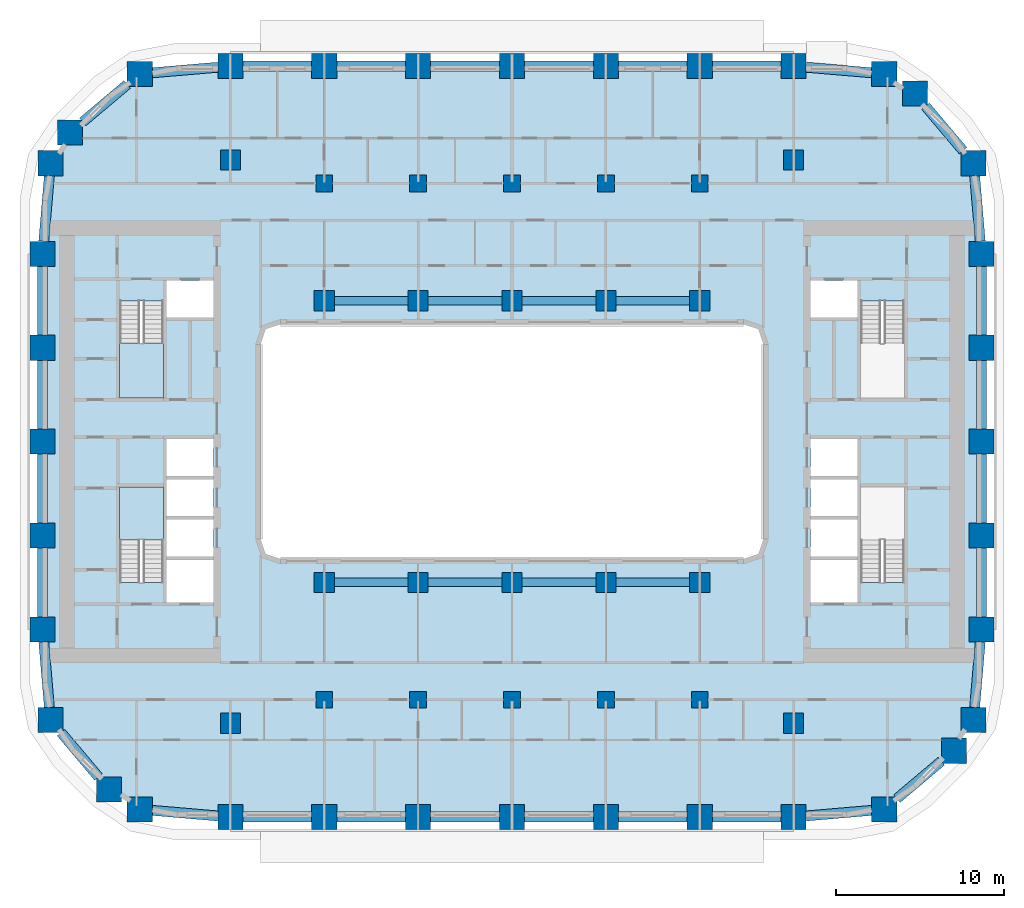
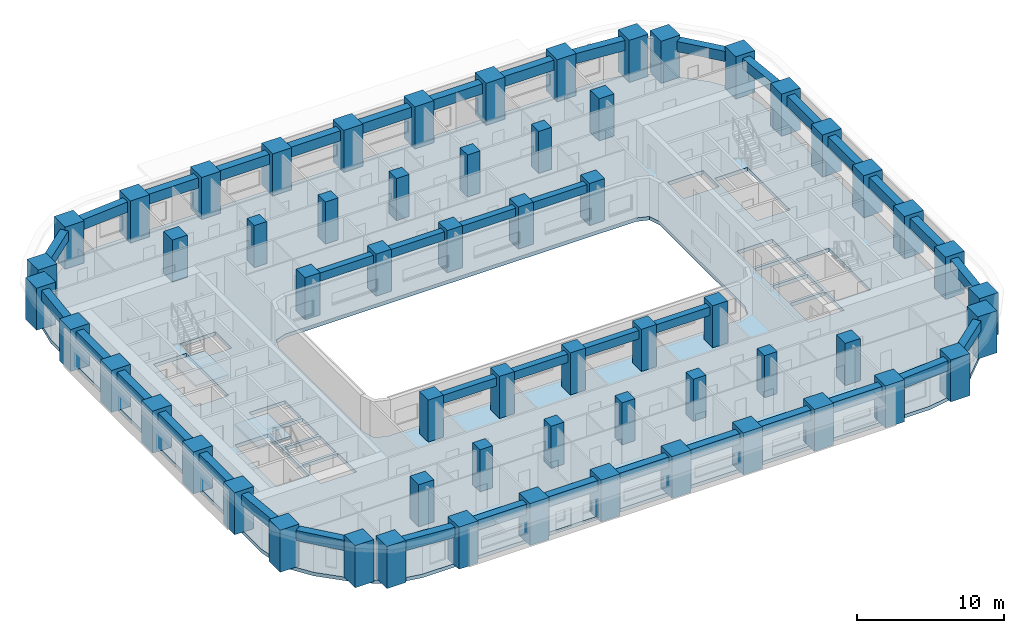
# One storey, part 1 of 21: 60 columns, 40 beams, 3 slabs, 2 elements without a shape of their own.
"""IFC4 building model written with IfcOpenShell, lengths in metres."""

from ifc_helpers import new_model, si_unit, direction, frame, origin, origin_2d, place, context, subcontext, project, spatial, polyline, rectangle, outline, extrude, material, layer, layer_set, material_profile, profile_set, type_object, element, aggregate, save


model = new_model("IFC4")

# Units and contexts
model_context = context("Model", 3, precision=1e-05, world=origin(), true_north=direction((0.0, 1.0)))
body_context = subcontext(model_context, "Body", "Model", "MODEL_VIEW")
ifc_project = project(units=[si_unit("LENGTHUNIT", "METRE"), si_unit("AREAUNIT", "SQUARE_METRE"), si_unit("VOLUMEUNIT", "CUBIC_METRE"), si_unit("PLANEANGLEUNIT", "RADIAN"), si_unit("MASSUNIT", "GRAM", prefix="KILO")], contexts=[model_context])

# Site, building, storey
site_placement = place(None, origin())
site = spatial("IfcSite", under=ifc_project, at=site_placement, CompositionType="ELEMENT")
building_placement = place(site_placement, origin())
building = spatial("IfcBuilding", under=site, at=building_placement, Name="Kiln Ring Residences", CompositionType="ELEMENT")
storey_placement = place(building_placement, frame((0.0, 0.0, 48.0)))
storey = spatial("IfcBuildingStorey", under=building, at=storey_placement, Name="L11", CompositionType="ELEMENT", Elevation=48.0)

# Columns
ifc_material_1 = material(Name="Concrete C80/95", Category="concrete")
ifc_material_profile_1 = material_profile(ifc_material_1, rectangle(XDim=1.0, YDim=1.0, at=origin_2d()), Name="RC1000x1000")
ifc_profile_set_1 = profile_set([ifc_material_profile_1], Name="Concrete C80/95")
column_type_1 = type_object("IfcColumnType", Name="Corridor column RC1000x1000 C80/95", PredefinedType="COLUMN", material=ifc_profile_set_1)
for number, where, z_axis, x_axis, name in (
    (1, (-11.199951171875, 15.39990234375, 0.0), (0.0, 0.0, 1.0), (1.0, 0.0, 0.0), "Corridor column L11 1"),
    (2, (-5.60009765625, 15.39990234375, 0.0), (0.0, 0.0, 1.0), (1.0, 0.0, 0.0), "Corridor column L11 2"),
    (3, (0.0, 15.39990234375, 0.0), (0.0, 0.0, 1.0), (1.0, 0.0, 0.0), "Corridor column L11 3"),
    (4, (5.60009765625, 15.39990234375, 0.0), (0.0, 0.0, 1.0), (1.0, 0.0, 0.0), "Corridor column L11 4"),
    (5, (11.199951171875, 15.39990234375, 0.0), (0.0, 0.0, 1.0), (1.0, 0.0, 0.0), "Corridor column L11 5"),
    (6, (-11.199951171875, -15.39990234375, 0.0), (0.0, 0.0, 1.0), (1.0, 0.0, 0.0), "Corridor column L11 6"),
    (7, (-5.60009765625, -15.39990234375, 0.0), (0.0, 0.0, 1.0), (1.0, 0.0, 0.0), "Corridor column L11 7"),
    (8, (0.0, -15.39990234375, 0.0), (0.0, 0.0, 1.0), (1.0, 0.0, 0.0), "Corridor column L11 8"),
    (9, (5.60009765625, -15.39990234375, 0.0), (0.0, 0.0, 1.0), (1.0, 0.0, 0.0), "Corridor column L11 9"),
    (10, (11.199951171875, -15.39990234375, 0.0), (0.0, 0.0, 1.0), (1.0, 0.0, 0.0), "Corridor column L11 10"),
):
    element("IfcColumn", number, at=place(storey_placement, frame(where, z_axis=z_axis, x_axis=x_axis)), inside=storey, type_object=column_type_1, Name=name, PredefinedType="COLUMN", context=body_context, shape_type="SweptSolid", body=[
        extrude(rectangle(XDim=1.0, YDim=1.0, at=origin_2d()), origin(), (0.0, 0.0, 1.0), 3.5),
    ])
ifc_material_2 = material(Name="Concrete C80/95", Category="concrete")
ifc_material_profile_2 = material_profile(ifc_material_2, rectangle(XDim=1.5, YDim=1.5, at=origin_2d()), Name="RC1500x1500")
ifc_profile_set_2 = profile_set([ifc_material_profile_2], Name="Concrete C80/95")
column_type_2 = type_object("IfcColumnType", Name="Perimeter column RC1500x1500 C80/95", PredefinedType="COLUMN", material=ifc_profile_set_2)
for number, where, z_axis, x_axis, name in (
    (11, (-22.208740234375, -21.93798828125, 0.0), (0.0, 0.0, 1.0), (1.0, 0.0, 0.0), "Perimeter column L11 1"),
    (12, (-16.800048828125, -22.39990234375, 0.0), (0.0, 0.0, 1.0), (1.0, 0.0, 0.0), "Perimeter column L11 2"),
    (13, (-11.199951171875, -22.39990234375, 0.0), (0.0, 0.0, 1.0), (1.0, 0.0, 0.0), "Perimeter column L11 3"),
    (14, (-5.60009765625, -22.39990234375, 0.0), (0.0, 0.0, 1.0), (1.0, 0.0, 0.0), "Perimeter column L11 4"),
    (15, (0.0, -22.39990234375, 0.0), (0.0, 0.0, 1.0), (1.0, 0.0, 0.0), "Perimeter column L11 5"),
    (16, (5.60009765625, -22.39990234375, 0.0), (0.0, 0.0, 1.0), (1.0, 0.0, 0.0), "Perimeter column L11 6"),
    (17, (11.199951171875, -22.39990234375, 0.0), (0.0, 0.0, 1.0), (1.0, 0.0, 0.0), "Perimeter column L11 7"),
    (18, (16.800048828125, -22.39990234375, 0.0), (0.0, 0.0, 1.0), (1.0, 0.0, 0.0), "Perimeter column L11 8"),
    (19, (22.208740234375, -21.93798828125, 0.0), (0.0, 0.0, 1.0), (1.0, 0.0, 0.0), "Perimeter column L11 9"),
    (20, (26.35986328125, -18.440185546875, 0.0), (0.0, 0.0, 1.0), (1.0, 0.0, 0.0), "Perimeter column L11 10"),
    (21, (27.5380859375, -16.608642578125, 0.0), (0.0, 0.0, 1.0), (1.0, 0.0, 0.0), "Perimeter column L11 11"),
    (22, (28.0, -11.199951171875, 0.0), (0.0, 0.0, 1.0), (1.0, 0.0, 0.0), "Perimeter column L11 12"),
    (23, (28.0, -5.60009765625, 0.0), (0.0, 0.0, 1.0), (1.0, 0.0, 0.0), "Perimeter column L11 13"),
    (24, (28.0, 0.0, 0.0), (0.0, 0.0, 1.0), (1.0, 0.0, 0.0), "Perimeter column L11 14"),
    (25, (28.0, 5.60009765625, 0.0), (0.0, 0.0, 1.0), (1.0, 0.0, 0.0), "Perimeter column L11 15"),
    (26, (28.0, 11.199951171875, 0.0), (0.0, 0.0, 1.0), (1.0, 0.0, 0.0), "Perimeter column L11 16"),
    (27, (27.5380859375, 16.608642578125, 0.0), (0.0, 0.0, 1.0), (1.0, 0.0, 0.0), "Perimeter column L11 17"),
    (28, (24.040283203125, 20.759765625, 0.0), (0.0, 0.0, 1.0), (1.0, 0.0, 0.0), "Perimeter column L11 18"),
    (29, (22.208740234375, 21.93798828125, 0.0), (0.0, 0.0, 1.0), (1.0, 0.0, 0.0), "Perimeter column L11 19"),
    (30, (16.800048828125, 22.39990234375, 0.0), (0.0, 0.0, 1.0), (1.0, 0.0, 0.0), "Perimeter column L11 20"),
    (31, (11.199951171875, 22.39990234375, 0.0), (0.0, 0.0, 1.0), (1.0, 0.0, 0.0), "Perimeter column L11 21"),
    (32, (5.60009765625, 22.39990234375, 0.0), (0.0, 0.0, 1.0), (1.0, 0.0, 0.0), "Perimeter column L11 22"),
    (33, (0.0, 22.39990234375, 0.0), (0.0, 0.0, 1.0), (1.0, 0.0, 0.0), "Perimeter column L11 23"),
    (34, (-5.60009765625, 22.39990234375, 0.0), (0.0, 0.0, 1.0), (1.0, 0.0, 0.0), "Perimeter column L11 24"),
    (35, (-11.199951171875, 22.39990234375, 0.0), (0.0, 0.0, 1.0), (1.0, 0.0, 0.0), "Perimeter column L11 25"),
    (36, (-16.800048828125, 22.39990234375, 0.0), (0.0, 0.0, 1.0), (1.0, 0.0, 0.0), "Perimeter column L11 26"),
    (37, (-22.208740234375, 21.93798828125, 0.0), (0.0, 0.0, 1.0), (1.0, 0.0, 0.0), "Perimeter column L11 27"),
    (38, (-26.35986328125, 18.440185546875, 0.0), (0.0, 0.0, 1.0), (1.0, 0.0, 0.0), "Perimeter column L11 28"),
    (39, (-27.5380859375, 16.608642578125, 0.0), (0.0, 0.0, 1.0), (1.0, 0.0, 0.0), "Perimeter column L11 29"),
    (40, (-28.0, 11.199951171875, 0.0), (0.0, 0.0, 1.0), (1.0, 0.0, 0.0), "Perimeter column L11 30"),
    (41, (-28.0, 5.60009765625, 0.0), (0.0, 0.0, 1.0), (1.0, 0.0, 0.0), "Perimeter column L11 31"),
    (42, (-28.0, 0.0, 0.0), (0.0, 0.0, 1.0), (1.0, 0.0, 0.0), "Perimeter column L11 32"),
    (43, (-28.0, -5.60009765625, 0.0), (0.0, 0.0, 1.0), (1.0, 0.0, 0.0), "Perimeter column L11 33"),
    (44, (-28.0, -11.199951171875, 0.0), (0.0, 0.0, 1.0), (1.0, 0.0, 0.0), "Perimeter column L11 34"),
    (45, (-27.5380859375, -16.608642578125, 0.0), (0.0, 0.0, 1.0), (1.0, 0.0, 0.0), "Perimeter column L11 35"),
    (46, (-24.040283203125, -20.759765625, 0.0), (0.0, 0.0, 1.0), (1.0, 0.0, 0.0), "Perimeter column L11 36"),
):
    element("IfcColumn", number, at=place(storey_placement, frame(where, z_axis=z_axis, x_axis=x_axis)), inside=storey, type_object=column_type_2, Name=name, PredefinedType="COLUMN", context=body_context, shape_type="SweptSolid", body=[
        extrude(rectangle(XDim=1.5, YDim=1.5, at=origin_2d()), origin(), (0.0, 0.0, 1.0), 3.5),
    ])
ifc_material_3 = material(Name="Concrete C80/95", Category="concrete")
ifc_material_profile_3 = material_profile(ifc_material_3, rectangle(XDim=1.199951171875, YDim=1.199951171875, at=origin_2d()), Name="RC1200x1200")
ifc_profile_set_3 = profile_set([ifc_material_profile_3], Name="Concrete C80/95")
column_type_3 = type_object("IfcColumnType", Name="Ring column RC1200x1200 C80/95", PredefinedType="COLUMN", material=ifc_profile_set_3)
for number, where, z_axis, x_axis, name in (
    (47, (-16.800048828125, -16.800048828125, 0.0), (0.0, 0.0, 1.0), (1.0, 0.0, 0.0), "Ring column L11 1"),
    (48, (-16.800048828125, 16.800048828125, 0.0), (0.0, 0.0, 1.0), (1.0, 0.0, 0.0), "Ring column L11 2"),
    (49, (-11.199951171875, -8.39990234375, 0.0), (0.0, 0.0, 1.0), (1.0, 0.0, 0.0), "Ring column L11 3"),
    (50, (-11.199951171875, 8.39990234375, 0.0), (0.0, 0.0, 1.0), (1.0, 0.0, 0.0), "Ring column L11 4"),
    (51, (-5.60009765625, -8.39990234375, 0.0), (0.0, 0.0, 1.0), (1.0, 0.0, 0.0), "Ring column L11 5"),
    (52, (-5.60009765625, 8.39990234375, 0.0), (0.0, 0.0, 1.0), (1.0, 0.0, 0.0), "Ring column L11 6"),
    (53, (0.0, -8.39990234375, 0.0), (0.0, 0.0, 1.0), (1.0, 0.0, 0.0), "Ring column L11 7"),
    (54, (0.0, 8.39990234375, 0.0), (0.0, 0.0, 1.0), (1.0, 0.0, 0.0), "Ring column L11 8"),
    (55, (5.60009765625, -8.39990234375, 0.0), (0.0, 0.0, 1.0), (1.0, 0.0, 0.0), "Ring column L11 9"),
    (56, (5.60009765625, 8.39990234375, 0.0), (0.0, 0.0, 1.0), (1.0, 0.0, 0.0), "Ring column L11 10"),
    (57, (11.199951171875, -8.39990234375, 0.0), (0.0, 0.0, 1.0), (1.0, 0.0, 0.0), "Ring column L11 11"),
    (58, (11.199951171875, 8.39990234375, 0.0), (0.0, 0.0, 1.0), (1.0, 0.0, 0.0), "Ring column L11 12"),
    (59, (16.800048828125, -16.800048828125, 0.0), (0.0, 0.0, 1.0), (1.0, 0.0, 0.0), "Ring column L11 13"),
    (60, (16.800048828125, 16.800048828125, 0.0), (0.0, 0.0, 1.0), (1.0, 0.0, 0.0), "Ring column L11 14"),
):
    element("IfcColumn", number, at=place(storey_placement, frame(where, z_axis=z_axis, x_axis=x_axis)), inside=storey, type_object=column_type_3, Name=name, PredefinedType="COLUMN", context=body_context, shape_type="SweptSolid", body=[
        extrude(rectangle(XDim=1.199951171875, YDim=1.199951171875, at=origin_2d()), origin(), (0.0, 0.0, 1.0), 3.5),
    ])

# Beams
ifc_material_4 = material(Name="Concrete C50/60", Category="concrete")
ifc_material_profile_4 = material_profile(ifc_material_4, rectangle(XDim=0.5, YDim=0.699951171875, at=origin_2d()), Name="RC500x700")
ifc_profile_set_4 = profile_set([ifc_material_profile_4], Name="Concrete C50/60")
beam_type_1 = type_object("IfcBeamType", Name="Ring beam RC500x700 C50/60", PredefinedType="BEAM", material=ifc_profile_set_4)
beam_1_placement = place(storey_placement, frame((-10.60009765625, -8.39990234375, 2.85009765625), z_axis=(1.0, 0.0, 0.0), x_axis=(0.0, 1.0, 0.0)))
element("IfcBeam", 61, at=beam_1_placement, inside=storey, type_object=beam_type_1, Name="Ring beam L11 1", PredefinedType="BEAM", context=body_context, shape_type="SweptSolid", body=[
    extrude(rectangle(XDim=0.5, YDim=0.699951171875, at=origin_2d()), origin(), (0.0, 0.0, 1.0), 4.400146484375),
])
for number, where, z_axis, x_axis, name in (
    (62, (-5.0, -8.39990234375, 2.85009765625), (1.0, 0.0, 0.0), (0.0, 1.0, 0.0), "Ring beam L11 2"),
    (63, (0.60009765625, -8.39990234375, 2.85009765625), (1.0, 0.0, 0.0), (0.0, 1.0, 0.0), "Ring beam L11 3"),
):
    element("IfcBeam", number, at=place(storey_placement, frame(where, z_axis=z_axis, x_axis=x_axis)), inside=storey, type_object=beam_type_1, Name=name, PredefinedType="BEAM", context=body_context, shape_type="SweptSolid", body=[
        extrude(rectangle(XDim=0.5, YDim=0.699951171875, at=origin_2d()), origin(), (0.0, 0.0, 1.0), 4.39990234375),
    ])
for number, where, z_axis, x_axis, name in (
    (64, (6.199951171875, -8.39990234375, 2.85009765625), (1.0, 0.0, 0.0), (0.0, 1.0, 0.0), "Ring beam L11 4"),
    (65, (-10.60009765625, 8.39990234375, 2.85009765625), (1.0, 0.0, 0.0), (0.0, 1.0, 0.0), "Ring beam L11 5"),
):
    element("IfcBeam", number, at=place(storey_placement, frame(where, z_axis=z_axis, x_axis=x_axis)), inside=storey, type_object=beam_type_1, Name=name, PredefinedType="BEAM", context=body_context, shape_type="SweptSolid", body=[
        extrude(rectangle(XDim=0.5, YDim=0.699951171875, at=origin_2d()), origin(), (0.0, 0.0, 1.0), 4.400146484375),
    ])
for number, where, z_axis, x_axis, name in (
    (66, (-5.0, 8.39990234375, 2.85009765625), (1.0, 0.0, 0.0), (0.0, 1.0, 0.0), "Ring beam L11 6"),
    (67, (0.60009765625, 8.39990234375, 2.85009765625), (1.0, 0.0, 0.0), (0.0, 1.0, 0.0), "Ring beam L11 7"),
):
    element("IfcBeam", number, at=place(storey_placement, frame(where, z_axis=z_axis, x_axis=x_axis)), inside=storey, type_object=beam_type_1, Name=name, PredefinedType="BEAM", context=body_context, shape_type="SweptSolid", body=[
        extrude(rectangle(XDim=0.5, YDim=0.699951171875, at=origin_2d()), origin(), (0.0, 0.0, 1.0), 4.39990234375),
    ])
beam_2_placement = place(storey_placement, frame((6.199951171875, 8.39990234375, 2.85009765625), z_axis=(1.0, 0.0, 0.0), x_axis=(0.0, 1.0, 0.0)))
element("IfcBeam", 68, at=beam_2_placement, inside=storey, type_object=beam_type_1, Name="Ring beam L11 8", PredefinedType="BEAM", context=body_context, shape_type="SweptSolid", body=[
    extrude(rectangle(XDim=0.5, YDim=0.699951171875, at=origin_2d()), origin(), (0.0, 0.0, 1.0), 4.400146484375),
])
ifc_material_5 = material(Name="Concrete C50/60", Category="concrete")
ifc_material_profile_5 = material_profile(ifc_material_5, rectangle(XDim=0.60009765625, YDim=0.85009765625, at=origin_2d()), Name="RC600x850")
ifc_profile_set_5 = profile_set([ifc_material_profile_5], Name="Concrete C50/60")
beam_type_2 = type_object("IfcBeamType", Name="Spandrel beam RC600x850 C50/60", PredefinedType="SPANDREL", material=ifc_profile_set_5)
beam_3_placement = place(storey_placement, frame((-21.458740234375, -22.002197265625, 2.77490234375), z_axis=(0.996374585929, -0.085074582072, 0.0), x_axis=(0.085074582072, 0.996374585929, 0.0)))
element("IfcBeam", 69, at=beam_3_placement, inside=storey, type_object=beam_type_2, Name="Spandrel beam L11 1", PredefinedType="SPANDREL", context=body_context, shape_type="SweptSolid", body=[
    extrude(rectangle(XDim=0.60009765625, YDim=0.85009765625, at=origin_2d()), origin(), (0.0, 0.0, 1.0), 3.9228515625),
])
beam_4_placement = place(storey_placement, frame((-16.050048828125, -22.39990234375, 2.77490234375), z_axis=(1.0, 0.0, 0.0), x_axis=(0.0, 1.0, 0.0)))
element("IfcBeam", 70, at=beam_4_placement, inside=storey, type_object=beam_type_2, Name="Spandrel beam L11 2", PredefinedType="SPANDREL", context=body_context, shape_type="SweptSolid", body=[
    extrude(rectangle(XDim=0.60009765625, YDim=0.85009765625, at=origin_2d()), origin(), (0.0, 0.0, 1.0), 4.10009765625),
])
beam_5_placement = place(storey_placement, frame((-10.449951171875, -22.39990234375, 2.77490234375), z_axis=(1.0, 0.0, 0.0), x_axis=(0.0, 1.0, 0.0)))
element("IfcBeam", 71, at=beam_5_placement, inside=storey, type_object=beam_type_2, Name="Spandrel beam L11 3", PredefinedType="SPANDREL", context=body_context, shape_type="SweptSolid", body=[
    extrude(rectangle(XDim=0.60009765625, YDim=0.85009765625, at=origin_2d()), origin(), (0.0, 0.0, 1.0), 4.099853515625),
])
for number, where, z_axis, x_axis, name in (
    (72, (-4.85009765625, -22.39990234375, 2.77490234375), (1.0, 0.0, 0.0), (0.0, 1.0, 0.0), "Spandrel beam L11 4"),
    (73, (0.75, -22.39990234375, 2.77490234375), (1.0, 0.0, 0.0), (0.0, 1.0, 0.0), "Spandrel beam L11 5"),
):
    element("IfcBeam", number, at=place(storey_placement, frame(where, z_axis=z_axis, x_axis=x_axis)), inside=storey, type_object=beam_type_2, Name=name, PredefinedType="SPANDREL", context=body_context, shape_type="SweptSolid", body=[
        extrude(rectangle(XDim=0.60009765625, YDim=0.85009765625, at=origin_2d()), origin(), (0.0, 0.0, 1.0), 4.10009765625),
    ])
beam_6_placement = place(storey_placement, frame((6.35009765625, -22.39990234375, 2.77490234375), z_axis=(1.0, 0.0, 0.0), x_axis=(0.0, 1.0, 0.0)))
element("IfcBeam", 74, at=beam_6_placement, inside=storey, type_object=beam_type_2, Name="Spandrel beam L11 6", PredefinedType="SPANDREL", context=body_context, shape_type="SweptSolid", body=[
    extrude(rectangle(XDim=0.60009765625, YDim=0.85009765625, at=origin_2d()), origin(), (0.0, 0.0, 1.0), 4.099853515625),
])
beam_7_placement = place(storey_placement, frame((11.949951171875, -22.39990234375, 2.77490234375), z_axis=(1.0, 0.0, 0.0), x_axis=(0.0, 1.0, 0.0)))
element("IfcBeam", 75, at=beam_7_placement, inside=storey, type_object=beam_type_2, Name="Spandrel beam L11 7", PredefinedType="SPANDREL", context=body_context, shape_type="SweptSolid", body=[
    extrude(rectangle(XDim=0.60009765625, YDim=0.85009765625, at=origin_2d()), origin(), (0.0, 0.0, 1.0), 4.10009765625),
])
beam_8_placement = place(storey_placement, frame((17.550048828125, -22.3359375, 2.77490234375), z_axis=(0.996374585929, 0.085074582072, 0.0), x_axis=(-0.085074582072, 0.996374585929, 0.0)))
element("IfcBeam", 76, at=beam_8_placement, inside=storey, type_object=beam_type_2, Name="Spandrel beam L11 8", PredefinedType="SPANDREL", context=body_context, shape_type="SweptSolid", body=[
    extrude(rectangle(XDim=0.60009765625, YDim=0.85009765625, at=origin_2d()), origin(), (0.0, 0.0, 1.0), 3.9228515625),
])
beam_9_placement = place(storey_placement, frame((22.958740234375, -21.30615234375, 2.77490234375), z_axis=(0.76471758739, 0.644365588417, 0.0), x_axis=(-0.644365588417, 0.76471758739, 0.0)))
element("IfcBeam", 77, at=beam_9_placement, inside=storey, type_object=beam_type_2, Name="Spandrel beam L11 9", PredefinedType="SPANDREL", context=body_context, shape_type="SweptSolid", body=[
    extrude(rectangle(XDim=0.60009765625, YDim=0.85009765625, at=origin_2d()), origin(), (0.0, 0.0, 1.0), 3.466796875),
])
beam_10_placement = place(storey_placement, frame((27.60205078125, -15.858642578125, 2.77490234375), z_axis=(0.085136365662, 0.996369308661, 0.0), x_axis=(-0.996369308661, 0.085136365662, 0.0)))
element("IfcBeam", 78, at=beam_10_placement, inside=storey, type_object=beam_type_2, Name="Spandrel beam L11 10", PredefinedType="SPANDREL", context=body_context, shape_type="SweptSolid", body=[
    extrude(rectangle(XDim=0.60009765625, YDim=0.85009765625, at=origin_2d()), origin(), (0.0, 0.0, 1.0), 3.9228515625),
])
beam_11_placement = place(storey_placement, frame((28.0, -10.449951171875, 2.77490234375), z_axis=(0.0, 1.0, 0.0), x_axis=(-1.0, 0.0, 0.0)))
element("IfcBeam", 79, at=beam_11_placement, inside=storey, type_object=beam_type_2, Name="Spandrel beam L11 11", PredefinedType="SPANDREL", context=body_context, shape_type="SweptSolid", body=[
    extrude(rectangle(XDim=0.60009765625, YDim=0.85009765625, at=origin_2d()), origin(), (0.0, 0.0, 1.0), 4.099853515625),
])
for number, where, z_axis, x_axis, name in (
    (80, (28.0, -4.85009765625, 2.77490234375), (0.0, 1.0, 0.0), (-1.0, 0.0, 0.0), "Spandrel beam L11 12"),
    (81, (28.0, 0.75, 2.77490234375), (0.0, 1.0, 0.0), (-1.0, 0.0, 0.0), "Spandrel beam L11 13"),
):
    element("IfcBeam", number, at=place(storey_placement, frame(where, z_axis=z_axis, x_axis=x_axis)), inside=storey, type_object=beam_type_2, Name=name, PredefinedType="SPANDREL", context=body_context, shape_type="SweptSolid", body=[
        extrude(rectangle(XDim=0.60009765625, YDim=0.85009765625, at=origin_2d()), origin(), (0.0, 0.0, 1.0), 4.10009765625),
    ])
beam_12_placement = place(storey_placement, frame((28.0, 6.35009765625, 2.77490234375), z_axis=(0.0, 1.0, 0.0), x_axis=(-1.0, 0.0, 0.0)))
element("IfcBeam", 82, at=beam_12_placement, inside=storey, type_object=beam_type_2, Name="Spandrel beam L11 14", PredefinedType="SPANDREL", context=body_context, shape_type="SweptSolid", body=[
    extrude(rectangle(XDim=0.60009765625, YDim=0.85009765625, at=origin_2d()), origin(), (0.0, 0.0, 1.0), 4.099853515625),
])
beam_13_placement = place(storey_placement, frame((27.93603515625, 11.949951171875, 2.77490234375), z_axis=(-0.085136365662, 0.996369308661, 0.0), x_axis=(-0.996369308661, -0.085136365662, 0.0)))
element("IfcBeam", 83, at=beam_13_placement, inside=storey, type_object=beam_type_2, Name="Spandrel beam L11 15", PredefinedType="SPANDREL", context=body_context, shape_type="SweptSolid", body=[
    extrude(rectangle(XDim=0.60009765625, YDim=0.85009765625, at=origin_2d()), origin(), (0.0, 0.0, 1.0), 3.9228515625),
])
beam_14_placement = place(storey_placement, frame((26.906005859375, 17.358642578125, 2.77490234375), z_axis=(-0.644365588417, 0.76471758739, 0.0), x_axis=(-0.76471758739, -0.644365588417, 0.0)))
element("IfcBeam", 84, at=beam_14_placement, inside=storey, type_object=beam_type_2, Name="Spandrel beam L11 16", PredefinedType="SPANDREL", context=body_context, shape_type="SweptSolid", body=[
    extrude(rectangle(XDim=0.60009765625, YDim=0.85009765625, at=origin_2d()), origin(), (0.0, 0.0, 1.0), 3.466796875),
])
beam_15_placement = place(storey_placement, frame((21.458740234375, 22.002197265625, 2.77490234375), z_axis=(-0.996374585929, 0.085074582072, 0.0), x_axis=(-0.085074582072, -0.996374585929, 0.0)))
element("IfcBeam", 85, at=beam_15_placement, inside=storey, type_object=beam_type_2, Name="Spandrel beam L11 17", PredefinedType="SPANDREL", context=body_context, shape_type="SweptSolid", body=[
    extrude(rectangle(XDim=0.60009765625, YDim=0.85009765625, at=origin_2d()), origin(), (0.0, 0.0, 1.0), 3.9228515625),
])
beam_16_placement = place(storey_placement, frame((16.050048828125, 22.39990234375, 2.77490234375), z_axis=(-1.0, 0.0, 0.0), x_axis=(0.0, -1.0, 0.0)))
element("IfcBeam", 86, at=beam_16_placement, inside=storey, type_object=beam_type_2, Name="Spandrel beam L11 18", PredefinedType="SPANDREL", context=body_context, shape_type="SweptSolid", body=[
    extrude(rectangle(XDim=0.60009765625, YDim=0.85009765625, at=origin_2d()), origin(), (0.0, 0.0, 1.0), 4.10009765625),
])
beam_17_placement = place(storey_placement, frame((10.449951171875, 22.39990234375, 2.77490234375), z_axis=(-1.0, 0.0, 0.0), x_axis=(0.0, -1.0, 0.0)))
element("IfcBeam", 87, at=beam_17_placement, inside=storey, type_object=beam_type_2, Name="Spandrel beam L11 19", PredefinedType="SPANDREL", context=body_context, shape_type="SweptSolid", body=[
    extrude(rectangle(XDim=0.60009765625, YDim=0.85009765625, at=origin_2d()), origin(), (0.0, 0.0, 1.0), 4.099853515625),
])
for number, where, z_axis, x_axis, name in (
    (88, (4.85009765625, 22.39990234375, 2.77490234375), (-1.0, 0.0, 0.0), (0.0, -1.0, 0.0), "Spandrel beam L11 20"),
    (89, (-0.75, 22.39990234375, 2.77490234375), (-1.0, 0.0, 0.0), (0.0, -1.0, 0.0), "Spandrel beam L11 21"),
):
    element("IfcBeam", number, at=place(storey_placement, frame(where, z_axis=z_axis, x_axis=x_axis)), inside=storey, type_object=beam_type_2, Name=name, PredefinedType="SPANDREL", context=body_context, shape_type="SweptSolid", body=[
        extrude(rectangle(XDim=0.60009765625, YDim=0.85009765625, at=origin_2d()), origin(), (0.0, 0.0, 1.0), 4.10009765625),
    ])
beam_18_placement = place(storey_placement, frame((-6.35009765625, 22.39990234375, 2.77490234375), z_axis=(-1.0, 0.0, 0.0), x_axis=(0.0, -1.0, 0.0)))
element("IfcBeam", 90, at=beam_18_placement, inside=storey, type_object=beam_type_2, Name="Spandrel beam L11 22", PredefinedType="SPANDREL", context=body_context, shape_type="SweptSolid", body=[
    extrude(rectangle(XDim=0.60009765625, YDim=0.85009765625, at=origin_2d()), origin(), (0.0, 0.0, 1.0), 4.099853515625),
])
beam_19_placement = place(storey_placement, frame((-11.949951171875, 22.39990234375, 2.77490234375), z_axis=(-1.0, 0.0, 0.0), x_axis=(0.0, -1.0, 0.0)))
element("IfcBeam", 91, at=beam_19_placement, inside=storey, type_object=beam_type_2, Name="Spandrel beam L11 23", PredefinedType="SPANDREL", context=body_context, shape_type="SweptSolid", body=[
    extrude(rectangle(XDim=0.60009765625, YDim=0.85009765625, at=origin_2d()), origin(), (0.0, 0.0, 1.0), 4.10009765625),
])
beam_20_placement = place(storey_placement, frame((-17.550048828125, 22.3359375, 2.77490234375), z_axis=(-0.996374585929, -0.085074582072, 0.0), x_axis=(0.085074582072, -0.996374585929, 0.0)))
element("IfcBeam", 92, at=beam_20_placement, inside=storey, type_object=beam_type_2, Name="Spandrel beam L11 24", PredefinedType="SPANDREL", context=body_context, shape_type="SweptSolid", body=[
    extrude(rectangle(XDim=0.60009765625, YDim=0.85009765625, at=origin_2d()), origin(), (0.0, 0.0, 1.0), 3.9228515625),
])
beam_21_placement = place(storey_placement, frame((-22.958740234375, 21.30615234375, 2.77490234375), z_axis=(-0.76471758739, -0.644365588417, 0.0), x_axis=(0.644365588417, -0.76471758739, 0.0)))
element("IfcBeam", 93, at=beam_21_placement, inside=storey, type_object=beam_type_2, Name="Spandrel beam L11 25", PredefinedType="SPANDREL", context=body_context, shape_type="SweptSolid", body=[
    extrude(rectangle(XDim=0.60009765625, YDim=0.85009765625, at=origin_2d()), origin(), (0.0, 0.0, 1.0), 3.466796875),
])
beam_22_placement = place(storey_placement, frame((-27.60205078125, 15.858642578125, 2.77490234375), z_axis=(-0.085136365662, -0.996369308661, 0.0), x_axis=(0.996369308661, -0.085136365662, 0.0)))
element("IfcBeam", 94, at=beam_22_placement, inside=storey, type_object=beam_type_2, Name="Spandrel beam L11 26", PredefinedType="SPANDREL", context=body_context, shape_type="SweptSolid", body=[
    extrude(rectangle(XDim=0.60009765625, YDim=0.85009765625, at=origin_2d()), origin(), (0.0, 0.0, 1.0), 3.9228515625),
])
beam_23_placement = place(storey_placement, frame((-28.0, 10.449951171875, 2.77490234375), z_axis=(0.0, -1.0, 0.0), x_axis=(1.0, 0.0, 0.0)))
element("IfcBeam", 95, at=beam_23_placement, inside=storey, type_object=beam_type_2, Name="Spandrel beam L11 27", PredefinedType="SPANDREL", context=body_context, shape_type="SweptSolid", body=[
    extrude(rectangle(XDim=0.60009765625, YDim=0.85009765625, at=origin_2d()), origin(), (0.0, 0.0, 1.0), 4.099853515625),
])
for number, where, z_axis, x_axis, name in (
    (96, (-28.0, 4.85009765625, 2.77490234375), (0.0, -1.0, 0.0), (1.0, 0.0, 0.0), "Spandrel beam L11 28"),
    (97, (-28.0, -0.75, 2.77490234375), (0.0, -1.0, 0.0), (1.0, 0.0, 0.0), "Spandrel beam L11 29"),
):
    element("IfcBeam", number, at=place(storey_placement, frame(where, z_axis=z_axis, x_axis=x_axis)), inside=storey, type_object=beam_type_2, Name=name, PredefinedType="SPANDREL", context=body_context, shape_type="SweptSolid", body=[
        extrude(rectangle(XDim=0.60009765625, YDim=0.85009765625, at=origin_2d()), origin(), (0.0, 0.0, 1.0), 4.10009765625),
    ])
beam_24_placement = place(storey_placement, frame((-28.0, -6.35009765625, 2.77490234375), z_axis=(0.0, -1.0, 0.0), x_axis=(1.0, 0.0, 0.0)))
element("IfcBeam", 98, at=beam_24_placement, inside=storey, type_object=beam_type_2, Name="Spandrel beam L11 30", PredefinedType="SPANDREL", context=body_context, shape_type="SweptSolid", body=[
    extrude(rectangle(XDim=0.60009765625, YDim=0.85009765625, at=origin_2d()), origin(), (0.0, 0.0, 1.0), 4.099853515625),
])
beam_25_placement = place(storey_placement, frame((-27.93603515625, -11.949951171875, 2.77490234375), z_axis=(0.085136365662, -0.996369308661, 0.0), x_axis=(0.996369308661, 0.085136365662, 0.0)))
element("IfcBeam", 99, at=beam_25_placement, inside=storey, type_object=beam_type_2, Name="Spandrel beam L11 31", PredefinedType="SPANDREL", context=body_context, shape_type="SweptSolid", body=[
    extrude(rectangle(XDim=0.60009765625, YDim=0.85009765625, at=origin_2d()), origin(), (0.0, 0.0, 1.0), 3.9228515625),
])
beam_26_placement = place(storey_placement, frame((-26.906005859375, -17.358642578125, 2.77490234375), z_axis=(0.644365588417, -0.76471758739, 0.0), x_axis=(0.76471758739, 0.644365588417, 0.0)))
element("IfcBeam", 100, at=beam_26_placement, inside=storey, type_object=beam_type_2, Name="Spandrel beam L11 32", PredefinedType="SPANDREL", context=body_context, shape_type="SweptSolid", body=[
    extrude(rectangle(XDim=0.60009765625, YDim=0.85009765625, at=origin_2d()), origin(), (0.0, 0.0, 1.0), 3.466796875),
])

# Stair, slab
ifc_material_6 = material(Name="Concrete C40/50", Category="concrete")
stair_type = type_object("IfcStairType", Name="CORE-STAIR", PredefinedType="HALF_TURN_STAIR", material=ifc_material_6)
placement_1 = place(storey_placement, origin())
stair_1 = element("IfcStair", 101, at=placement_1, inside=storey, type_object=stair_type, Name="L11 stair W-STN", PredefinedType="HALF_TURN_STAIR")
ifc_material_7 = material(Name="Concrete C40/50", Category="concrete")
ifc_layer_1 = layer(ifc_material_7, 0.199951171875)
ifc_layer_set_1 = layer_set([ifc_layer_1], Name="CORE-STAIR-LANDING")
slab_type_1 = type_object("IfcSlabType", Name="CORE-STAIR-LANDING", PredefinedType="LANDING", material=ifc_layer_set_1)
placement_2 = place(storey_placement, frame((0.0, 0.0, 1.550048828125)))
slab_1 = element("IfcSlab", 102, at=placement_2, type_object=slab_type_1, Name="W-STN landing 1", PredefinedType="LANDING", context=body_context, shape_type="SweptSolid", body=[
    extrude(outline(polyline([(-23.39990234375, 5.8798828125), (-23.39990234375, 2.60009765625), (-20.800048828125, 2.60009765625), (-20.800048828125, 5.8798828125), (-23.39990234375, 5.8798828125)])), origin(), (0.0, 0.0, 1.0), 0.199951171875),
])
aggregate(stair_1, [slab_1])

stair_2 = element("IfcStair", 103, at=placement_1, inside=storey, type_object=stair_type, Name="L11 stair W-STS", PredefinedType="HALF_TURN_STAIR")
slab_2 = element("IfcSlab", 104, at=placement_2, type_object=slab_type_1, Name="W-STS landing 1", PredefinedType="LANDING", context=body_context, shape_type="SweptSolid", body=[
    extrude(outline(polyline([(-20.800048828125, -5.8798828125), (-20.800048828125, -2.699951171875), (-23.39990234375, -2.699951171875), (-23.39990234375, -5.8798828125), (-20.800048828125, -5.8798828125)])), origin(), (0.0, 0.0, 1.0), 0.199951171875),
])
aggregate(stair_2, [slab_2])

# Slab
ifc_material_8 = material(Name="Concrete C40/50", Category="concrete")
ifc_layer_2 = layer(ifc_material_8, 0.300048828125)
ifc_layer_set_2 = layer_set([ifc_layer_2], Name="Floor slab 300")
slab_type_2 = type_object("IfcSlabType", Name="Floor slab 300", PredefinedType="FLOOR", material=ifc_layer_set_2)
slab_3_placement = place(storey_placement, frame((0.0, 0.0, -0.300048828125)))
element("IfcSlab", 105, at=slab_3_placement, inside=storey, type_object=slab_type_2, Name="Floor slab L11 1", PredefinedType="FLOOR", context=body_context, shape_type="SweptSolid", body=[
    extrude(outline(polyline([(-26.302978515625, -18.4970703125), (-24.09716796875, -20.702880859375), (-22.224365234375, -21.975830078125), (-20.0, -22.39990234375), (20.0, -22.39990234375), (22.224365234375, -21.975830078125), (24.09716796875, -20.702880859375), (26.302978515625, -18.4970703125), (27.57568359375, -16.624267578125), (28.0, -14.39990234375), (28.0, 14.39990234375), (27.57568359375, 16.624267578125), (26.302978515625, 18.4970703125), (24.09716796875, 20.702880859375), (22.224365234375, 21.975830078125), (20.0, 22.39990234375), (-20.0, 22.39990234375), (-22.224365234375, 21.975830078125), (-24.09716796875, 20.702880859375), (-26.302978515625, 18.4970703125), (-27.57568359375, 16.624267578125), (-28.0, 14.39990234375), (-28.0, -14.39990234375), (-27.57568359375, -16.624267578125), (-26.302978515625, -18.4970703125)]), holes=[polyline([(-14.699951171875, -6.699951171875), (-15.0, -5.800048828125), (-15.0, 5.800048828125), (-14.699951171875, 6.699951171875), (-13.800048828125, 7.0), (13.800048828125, 7.0), (14.699951171875, 6.699951171875), (15.0, 5.800048828125), (15.0, -5.800048828125), (14.699951171875, -6.699951171875), (13.800048828125, -7.0), (-13.800048828125, -7.0), (-14.699951171875, -6.699951171875)]), polyline([(20.800048828125, -8.39794921875), (20.800048828125, -2.699951171875), (23.39990234375, -2.699951171875), (23.39990234375, -8.39794921875), (20.800048828125, -8.39794921875)]), polyline([(20.800048828125, 2.60009765625), (20.800048828125, 8.39794921875), (23.39990234375, 8.39794921875), (23.39990234375, 2.60009765625), (20.800048828125, 2.60009765625)]), polyline([(17.800048828125, -6.85009765625), (17.800048828125, -4.64990234375), (20.60009765625, -4.64990234375), (20.60009765625, -6.85009765625), (17.800048828125, -6.85009765625)]), polyline([(17.800048828125, -4.449951171875), (17.800048828125, -2.25), (20.60009765625, -2.25), (20.60009765625, -4.449951171875), (17.800048828125, -4.449951171875)]), polyline([(17.800048828125, -2.050048828125), (17.800048828125, 0.14990234375), (20.60009765625, 0.14990234375), (20.60009765625, -2.050048828125), (17.800048828125, -2.050048828125)]), polyline([(17.800048828125, 7.39990234375), (17.800048828125, 9.60009765625), (20.60009765625, 9.60009765625), (20.60009765625, 7.39990234375), (17.800048828125, 7.39990234375)]), polyline([(20.60009765625, -9.60009765625), (17.800048828125, -9.60009765625), (17.800048828125, -7.050048828125), (20.60009765625, -7.050048828125), (20.60009765625, -9.60009765625)]), polyline([(-17.800048828125, -7.050048828125), (-17.800048828125, -9.60009765625), (-20.60009765625, -9.60009765625), (-20.60009765625, -7.050048828125), (-17.800048828125, -7.050048828125)]), polyline([(-17.800048828125, -6.85009765625), (-20.60009765625, -6.85009765625), (-20.60009765625, -4.64990234375), (-17.800048828125, -4.64990234375), (-17.800048828125, -6.85009765625)]), polyline([(-17.800048828125, -4.449951171875), (-20.60009765625, -4.449951171875), (-20.60009765625, -2.25), (-17.800048828125, -2.25), (-17.800048828125, -4.449951171875)]), polyline([(-17.800048828125, -2.050048828125), (-20.60009765625, -2.050048828125), (-20.60009765625, 0.14990234375), (-17.800048828125, 0.14990234375), (-17.800048828125, -2.050048828125)]), polyline([(-17.800048828125, 7.39990234375), (-20.60009765625, 7.39990234375), (-20.60009765625, 9.60009765625), (-17.800048828125, 9.60009765625), (-17.800048828125, 7.39990234375)]), polyline([(-20.800048828125, -8.39794921875), (-23.39990234375, -8.39794921875), (-23.39990234375, -2.699951171875), (-20.800048828125, -2.699951171875), (-20.800048828125, -8.39794921875)]), polyline([(-20.800048828125, 2.60009765625), (-23.39990234375, 2.60009765625), (-23.39990234375, 8.39794921875), (-20.800048828125, 8.39794921875), (-20.800048828125, 2.60009765625)])]), origin(), (0.0, 0.0, 1.0), 0.300048828125),
])

save(model, "model.ifc")
